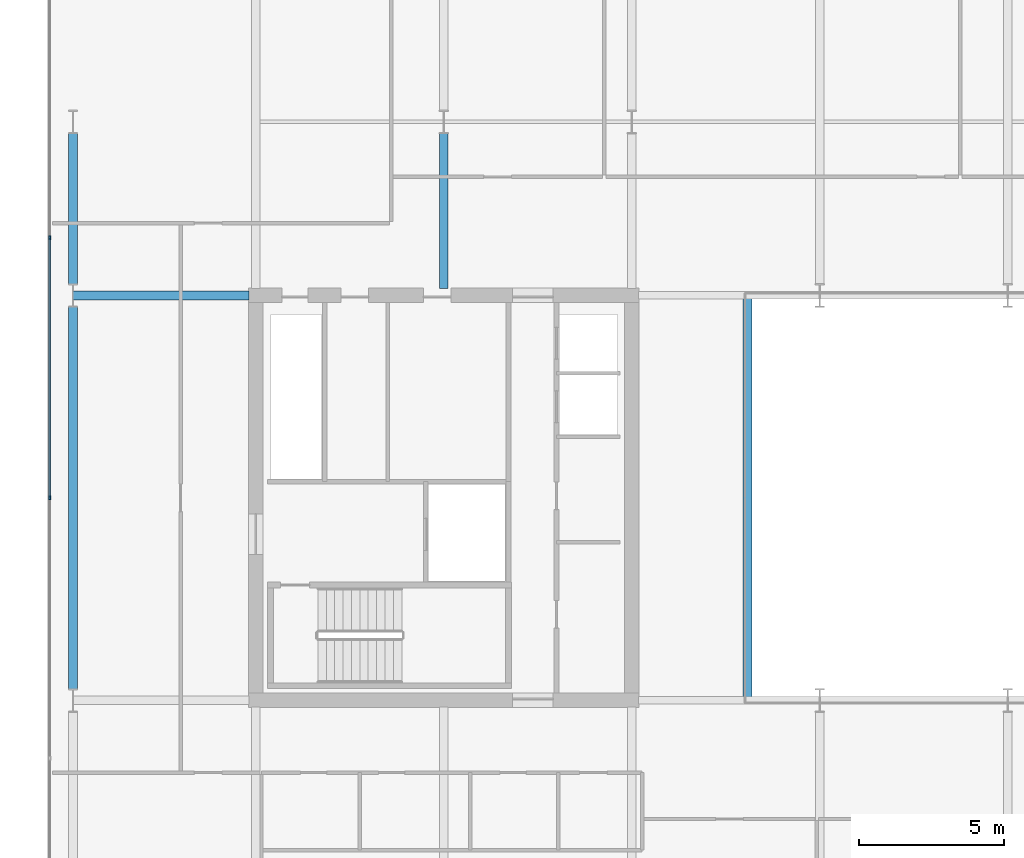
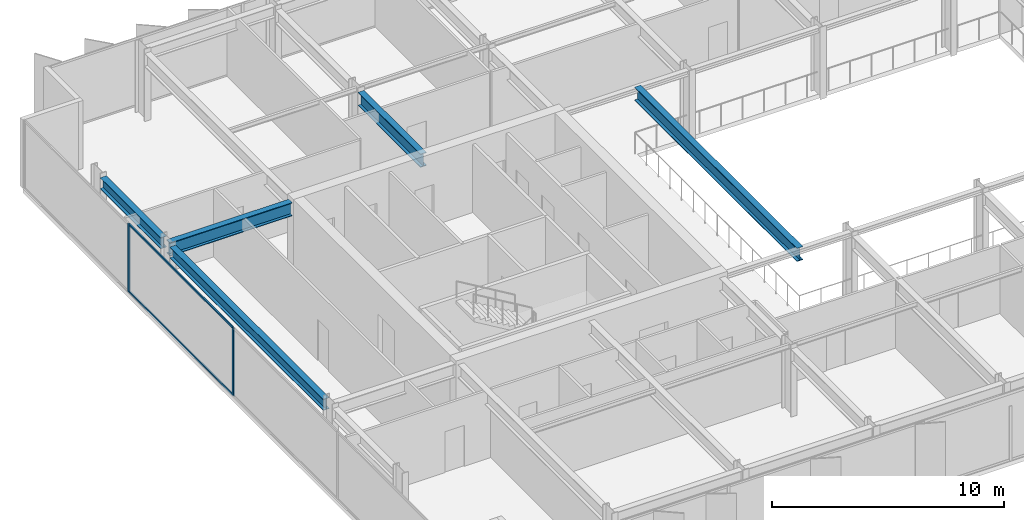
# One storey, part 5 of 24: 5 beams, 4 members, 1 element without a shape of its own.
"""IFC4 building model written with IfcOpenShell, lengths in metres."""

from ifc_helpers import new_model, si_unit, direction, frame, origin, origin_2d, place, context, subcontext, project, spatial, rectangle, i_section, extrude, material, layer, layer_set, material_profile, profile_set, type_object, element, aggregate, save


model = new_model("IFC4")

# Units and contexts
model_context = context("Model", 3, precision=1e-05, world=origin(), true_north=direction((0.0, 1.0)))
body_context = subcontext(model_context, "Body", "Model", "MODEL_VIEW")
ifc_project = project(units=[si_unit("LENGTHUNIT", "METRE"), si_unit("AREAUNIT", "SQUARE_METRE"), si_unit("VOLUMEUNIT", "CUBIC_METRE"), si_unit("PLANEANGLEUNIT", "RADIAN"), si_unit("MASSUNIT", "GRAM", prefix="KILO")], contexts=[model_context])

# Site, building, storey
site_placement = place(None, origin())
site = spatial("IfcSite", under=ifc_project, at=site_placement, CompositionType="ELEMENT")
building_placement = place(site_placement, origin())
building = spatial("IfcBuilding", under=site, at=building_placement, Name="Putna Gate Headquarters", CompositionType="ELEMENT")
storey_placement = place(building_placement, frame((0.0, 0.0, 236.60009765625)))
storey = spatial("IfcBuildingStorey", under=building, at=storey_placement, Name="L59", CompositionType="ELEMENT", Elevation=236.60009765625)

# Beams
ifc_material_1 = material(Name="Steel S355J2", Category="steel")
ifc_material_profile_1 = material_profile(ifc_material_1, i_section(OverallWidth=0.300048828125, OverallDepth=0.699951171875, WebThickness=0.01708984375, FlangeThickness=0.031982421875, at=origin_2d()), Name="Steel S355J2")
ifc_profile_set_1 = profile_set([ifc_material_profile_1], Name="Steel S355J2")
beam_type_1 = type_object("IfcBeamType", Name="BM-GIRD-B-HEB700", PredefinedType="USERDEFINED", material=ifc_profile_set_1)
beam_1_placement = place(storey_placement, frame((6.68603515625, 33.0, 3.22998046875), z_axis=(1.0, 0.0, 0.0), x_axis=(0.0, 1.0, 0.0)))
element("IfcBeam", 1, at=beam_1_placement, inside=storey, type_object=beam_type_1, Name="L59 West Wing Girder Y33", ObjectType="GIRDER", PredefinedType="USERDEFINED", context=body_context, shape_type="SweptSolid", body=[
    extrude(i_section(OverallWidth=0.300048828125, OverallDepth=0.699951171875, WebThickness=0.01708984375, FlangeThickness=0.031982421875, at=origin_2d()), origin(), (0.0, 0.0, 1.0), 6.078857421875),
])
beam_2_placement = place(storey_placement, frame((19.5, 33.235107421875, 3.22998046875), z_axis=(0.0, 1.0, 0.0), x_axis=(-1.0, 0.0, 0.0)))
element("IfcBeam", 2, at=beam_2_placement, inside=storey, type_object=beam_type_1, Name="L59 North Primary Girder X19-1", ObjectType="GIRDER", PredefinedType="USERDEFINED", context=body_context, shape_type="SweptSolid", body=[
    extrude(i_section(OverallWidth=0.300048828125, OverallDepth=0.699951171875, WebThickness=0.01708984375, FlangeThickness=0.031982421875, at=origin_2d()), origin(), (0.0, 0.0, 1.0), 5.369873046875),
])
beam_3_placement = place(storey_placement, frame((30.0, 19.010009765625, 3.22998046875), z_axis=(0.0, 1.0, 0.0), x_axis=(-1.0, 0.0, 0.0)))
element("IfcBeam", 3, at=beam_3_placement, inside=storey, type_object=beam_type_1, Name="L59 Atrium Trim Girder AW", ObjectType="GIRDER", PredefinedType="USERDEFINED", context=body_context, shape_type="SweptSolid", body=[
    extrude(i_section(OverallWidth=0.300048828125, OverallDepth=0.699951171875, WebThickness=0.01708984375, FlangeThickness=0.031982421875, at=origin_2d()), origin(), (0.0, 0.0, 1.0), 13.97998046875),
])
ifc_material_profile_2 = material_profile(ifc_material_1, i_section(OverallWidth=0.300048828125, OverallDepth=0.590087890625, WebThickness=0.012939453125, FlangeThickness=0.02490234375, at=origin_2d()), Name="Steel S355J2")
ifc_profile_set_2 = profile_set([ifc_material_profile_2], Name="Steel S355J2")
beam_type_2 = type_object("IfcBeamType", Name="BM-SPAN-Z4-HEA600", PredefinedType="SPANDREL", material=ifc_profile_set_2)
beam_4_placement = place(storey_placement, frame((6.679931640625, 19.39501953125, 3.284912109375), z_axis=(0.0, 1.0, 0.0), x_axis=(-1.0, 0.0, 0.0)))
element("IfcBeam", 4, at=beam_4_placement, inside=storey, type_object=beam_type_2, Name="L59 W End Spandrel 2", PredefinedType="SPANDREL", context=body_context, shape_type="SweptSolid", body=[
    extrude(i_section(OverallWidth=0.300048828125, OverallDepth=0.590087890625, WebThickness=0.012939453125, FlangeThickness=0.02490234375, at=origin_2d()), origin(), (0.0, 0.0, 1.0), 13.2099609375),
])
beam_5_placement = place(storey_placement, frame((6.679931640625, 33.39501953125, 3.284912109375), z_axis=(0.0, 1.0, 0.0), x_axis=(-1.0, 0.0, 0.0)))
element("IfcBeam", 5, at=beam_5_placement, inside=storey, type_object=beam_type_2, Name="L59 W End Spandrel 3", PredefinedType="SPANDREL", context=body_context, shape_type="SweptSolid", body=[
    extrude(i_section(OverallWidth=0.300048828125, OverallDepth=0.590087890625, WebThickness=0.012939453125, FlangeThickness=0.02490234375, at=origin_2d()), origin(), (0.0, 0.0, 1.0), 5.2099609375),
])

# Curtain wall, members
ifc_material_2 = material(Name="Anodised bronze aluminium curtain wall", Category="aluminium")
ifc_layer = layer(ifc_material_2, 0.139892578125)
ifc_layer_set = layer_set([ifc_layer], Name="Anodised bronze aluminium curtain wall")
curtain_wall_type = type_object("IfcCurtainWallType", Name="CW-SYS-Z4", PredefinedType="USERDEFINED", material=ifc_layer_set)
curtain_wall_placement = place(storey_placement, origin())
curtain_wall = element("IfcCurtainWall", 6, at=curtain_wall_placement, inside=storey, type_object=curtain_wall_type, Name="L59 West Curtain Wall", ObjectType="STICK CURTAIN WALL", PredefinedType="USERDEFINED")
ifc_material_3 = material(Name="Anodised bronze aluminium EN AW-6060", Category="aluminium")
ifc_material_profile_3 = material_profile(ifc_material_3, rectangle(XDim=0.06005859375, YDim=0.139892578125, at=origin_2d()), Name="Anodised bronze aluminium EN AW-6060")
ifc_profile_set_3 = profile_set([ifc_material_profile_3], Name="Anodised bronze aluminium EN AW-6060")
member_type_1 = type_object("IfcMemberType", Name="MULL-CWM-4", PredefinedType="MULLION", material=ifc_profile_set_3)
member_1_placement = place(storey_placement, frame((5.8798828125, 26.0, 0.0), z_axis=(0.0, 0.0, 1.0), x_axis=(-1.0, 0.0, 0.0)))
member_1 = element("IfcMember", 7, at=member_1_placement, type_object=member_type_1, Name="CWS-4 mullion 3", PredefinedType="MULLION", context=body_context, shape_type="SweptSolid", body=[
    extrude(rectangle(XDim=0.06005859375, YDim=0.139892578125, at=origin_2d()), origin(), (0.0, 0.0, 1.0), 3.579833984375),
])
member_2_placement = place(storey_placement, frame((5.8798828125, 35.0, 0.0), z_axis=(0.0, 0.0, 1.0), x_axis=(-1.0, 0.0, 0.0)))
member_2 = element("IfcMember", 8, at=member_2_placement, type_object=member_type_1, Name="CWS-4 mullion 4", PredefinedType="MULLION", context=body_context, shape_type="SweptSolid", body=[
    extrude(rectangle(XDim=0.06005859375, YDim=0.139892578125, at=origin_2d()), origin(), (0.0, 0.0, 1.0), 3.579833984375),
])
ifc_material_profile_4 = material_profile(ifc_material_3, rectangle(XDim=0.06005859375, YDim=0.10009765625, at=origin_2d()), Name="Anodised bronze aluminium EN AW-6060")
ifc_profile_set_4 = profile_set([ifc_material_profile_4], Name="Anodised bronze aluminium EN AW-6060")
member_type_2 = type_object("IfcMemberType", Name="TRAN-CWT-4", PredefinedType="USERDEFINED", material=ifc_profile_set_4)
member_3_placement = place(storey_placement, frame((5.8798828125, 26.030029296875, 0.02978515625), z_axis=(0.0, 1.0, 0.0), x_axis=(-1.0, 0.0, 0.0)))
member_3 = element("IfcMember", 9, at=member_3_placement, type_object=member_type_2, Name="CWS-4 transom 3.1", ObjectType="TRANSOM", PredefinedType="USERDEFINED", context=body_context, shape_type="SweptSolid", body=[
    extrude(rectangle(XDim=0.06005859375, YDim=0.10009765625, at=origin_2d()), origin(), (0.0, 0.0, 1.0), 8.93994140625),
])
member_4_placement = place(storey_placement, frame((5.8798828125, 26.030029296875, 3.5498046875), z_axis=(0.0, 1.0, 0.0), x_axis=(-1.0, 0.0, 0.0)))
member_4 = element("IfcMember", 10, at=member_4_placement, type_object=member_type_2, Name="CWS-4 transom 3.2", ObjectType="TRANSOM", PredefinedType="USERDEFINED", context=body_context, shape_type="SweptSolid", body=[
    extrude(rectangle(XDim=0.06005859375, YDim=0.10009765625, at=origin_2d()), origin(), (0.0, 0.0, 1.0), 8.93994140625),
])
aggregate(curtain_wall, [member_1, member_2, member_3, member_4])

save(model, "model.ifc")
